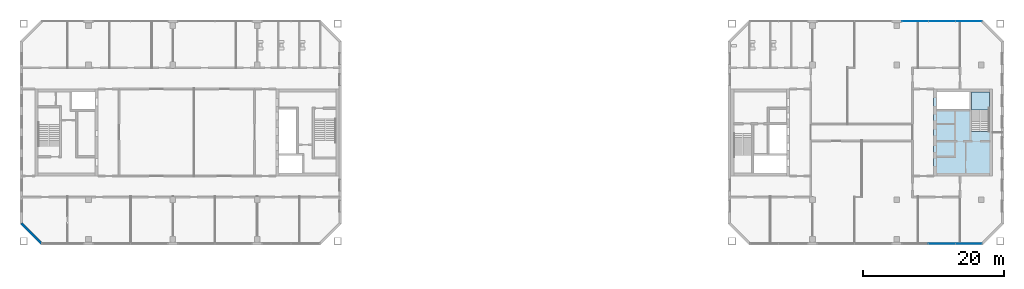
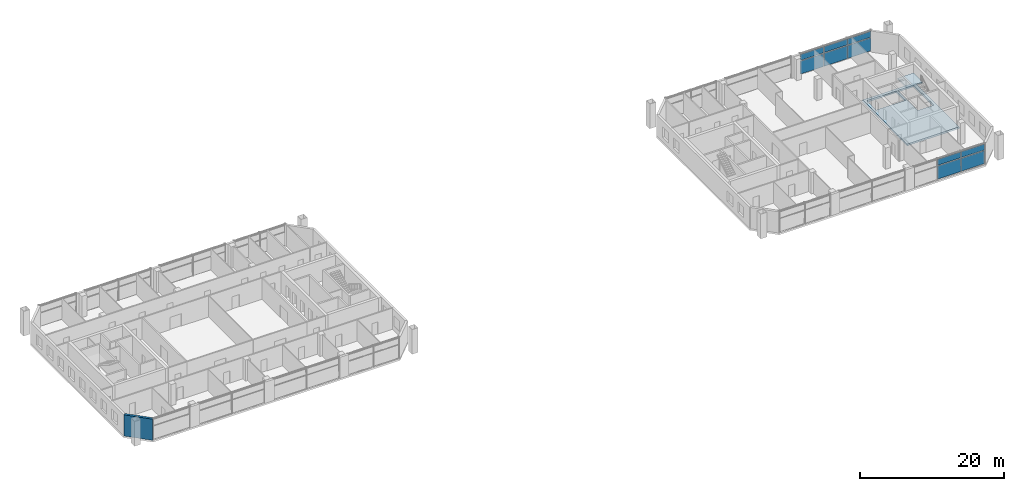
# One storey, part 9 of 19: 10 plates, 2 slabs, 1 wall, 3 elements without a shape of their own.
"""IFC4 building model written with IfcOpenShell, lengths in metres."""

from ifc_helpers import new_model, si_unit, direction, frame, frame_2d, origin, origin_2d, place, context, subcontext, project, spatial, polyline, rectangle, outline, extrude, material, layer, layer_set, type_object, element, aggregate, save


model = new_model("IFC4")

# Units and contexts
model_context = context("Model", 3, precision=1e-05, world=origin(), true_north=direction((0.0, 1.0)))
body_context = subcontext(model_context, "Body", "Model", "MODEL_VIEW")
ifc_project = project(units=[si_unit("LENGTHUNIT", "METRE"), si_unit("AREAUNIT", "SQUARE_METRE"), si_unit("VOLUMEUNIT", "CUBIC_METRE"), si_unit("PLANEANGLEUNIT", "RADIAN"), si_unit("MASSUNIT", "GRAM", prefix="KILO")], contexts=[model_context])

# Site, building, storey
site_placement = place(None, origin())
site = spatial("IfcSite", under=ifc_project, at=site_placement, CompositionType="ELEMENT")
building_placement = place(site_placement, origin())
building = spatial("IfcBuilding", under=site, at=building_placement, Name="Tuart Gate Housing", CompositionType="ELEMENT")
storey_placement = place(building_placement, frame((0.0, 0.0, 171.60009765625)))
storey = spatial("IfcBuildingStorey", under=building, at=storey_placement, Name="L48", CompositionType="ELEMENT", Elevation=171.60009765625)

# Slab
ifc_material_1 = material(Name="Concrete C40", Category="concrete")
ifc_layer_1 = layer(ifc_material_1, 0.300048828125)
ifc_layer_set_1 = layer_set([ifc_layer_1], Name="Core floor slab 300")
slab_type_1 = type_object("IfcSlabType", Name="Core floor slab 300", PredefinedType="FLOOR", material=ifc_layer_set_1)
slab_1_placement = place(storey_placement, frame((0.0, 0.0, -0.300048828125)))
element("IfcSlab", 1, at=slab_1_placement, inside=storey, type_object=slab_type_1, Name="Core floor BK", PredefinedType="FLOOR", context=body_context, shape_type="SweptSolid", body=[
    extrude(outline(polyline([(160.239990234375, 63.800048828125), (168.639892578125, 63.800048828125), (168.639892578125, 76.199951171875), (160.239990234375, 76.199951171875), (160.239990234375, 63.800048828125)]), holes=[polyline([(160.68994140625, 73.14990234375), (165.364990234375, 73.14990234375), (165.364990234375, 75.75), (160.68994140625, 75.75), (160.68994140625, 73.14990234375)]), polyline([(165.614990234375, 70.14501953125), (168.18994140625, 70.14501953125), (168.18994140625, 75.75), (165.614990234375, 75.75), (165.614990234375, 70.14501953125)])]), origin(), (0.0, 0.0, 1.0), 0.300048828125),
])

# Curtain wall, plates
ifc_material_2 = material(Name="Aluminium and clear glass", Category="aluminium")
curtain_wall_type = type_object("IfcCurtainWallType", Name="Community floor glazing", PredefinedType="USERDEFINED", material=ifc_material_2)
curtain_wall_1_placement = place(storey_placement, origin())
curtain_wall_1 = element("IfcCurtainWall", 2, at=curtain_wall_1_placement, inside=storey, type_object=curtain_wall_type, Name="Community floor glazing B-S L48", ObjectType="COMMUNITY FLOOR GLAZING", PredefinedType="USERDEFINED")
ifc_material_3 = material(Name="Clear glass", Category="glass")
ifc_layer_2 = layer(ifc_material_3, 0.028076171875)
ifc_layer_set_2 = layer_set([ifc_layer_2], Name="Glazed panel 28")
plate_type_1 = type_object("IfcPlateType", Name="Glazed panel 28", PredefinedType="CURTAIN_PANEL", material=ifc_layer_set_2)
plate_1_placement = place(storey_placement, frame((161.437744140625, 54.179931640625, 0.1201171875), z_axis=(0.0, 0.0, 1.0), x_axis=(1.0, 0.0, 0.0)))
plate_1 = element("IfcPlate", 3, at=plate_1_placement, type_object=plate_type_1, Name="CW3 panel 2.1", PredefinedType="CURTAIN_PANEL", context=body_context, shape_type="SweptSolid", body=[
    extrude(rectangle(XDim=3.76513671875, YDim=0.028076171875, at=origin_2d()), origin(), (0.0, 0.0, 1.0), 2.219970703125),
])
plate_2_placement = place(storey_placement, frame((161.437744140625, 54.179931640625, 2.4599609375), z_axis=(0.0, 0.0, 1.0), x_axis=(1.0, 0.0, 0.0)))
plate_2 = element("IfcPlate", 4, at=plate_2_placement, type_object=plate_type_1, Name="CW3 panel 2.2", PredefinedType="CURTAIN_PANEL", context=body_context, shape_type="SweptSolid", body=[
    extrude(rectangle(XDim=3.76513671875, YDim=0.028076171875, at=origin_2d()), origin(), (0.0, 0.0, 1.0), 1.02001953125),
])
plate_3_placement = place(storey_placement, frame((165.247802734375, 54.179931640625, 0.1201171875), z_axis=(0.0, 0.0, 1.0), x_axis=(1.0, 0.0, 0.0)))
plate_3 = element("IfcPlate", 5, at=plate_3_placement, type_object=plate_type_1, Name="CW3 panel 3.1", PredefinedType="CURTAIN_PANEL", context=body_context, shape_type="SweptSolid", body=[
    extrude(rectangle(XDim=3.735107421875, YDim=0.028076171875, at=origin_2d()), origin(), (0.0, 0.0, 1.0), 2.219970703125),
])

curtain_wall_2_placement = place(storey_placement, origin())
curtain_wall_2 = element("IfcCurtainWall", 6, at=curtain_wall_2_placement, inside=storey, type_object=curtain_wall_type, Name="Community floor glazing B-N L48", ObjectType="COMMUNITY FLOOR GLAZING", PredefinedType="USERDEFINED")
plate_4_placement = place(storey_placement, frame((165.247802734375, 85.820068359375, 0.1201171875), z_axis=(0.0, 0.0, 1.0), x_axis=(-1.0, 0.0, 0.0)))
plate_4 = element("IfcPlate", 7, at=plate_4_placement, type_object=plate_type_1, Name="CW3 panel 1.1", PredefinedType="CURTAIN_PANEL", context=body_context, shape_type="SweptSolid", body=[
    extrude(rectangle(XDim=3.735107421875, YDim=0.028076171875, at=origin_2d()), origin(), (0.0, 0.0, 1.0), 2.219970703125),
])
plate_5_placement = place(storey_placement, frame((161.437744140625, 85.820068359375, 0.1201171875), z_axis=(0.0, 0.0, 1.0), x_axis=(-1.0, 0.0, 0.0)))
plate_5 = element("IfcPlate", 8, at=plate_5_placement, type_object=plate_type_1, Name="CW3 panel 2.1", PredefinedType="CURTAIN_PANEL", context=body_context, shape_type="SweptSolid", body=[
    extrude(rectangle(XDim=3.76513671875, YDim=0.028076171875, at=origin_2d()), origin(), (0.0, 0.0, 1.0), 2.219970703125),
])
plate_6_placement = place(storey_placement, frame((161.437744140625, 85.820068359375, 2.4599609375), z_axis=(0.0, 0.0, 1.0), x_axis=(-1.0, 0.0, 0.0)))
plate_6 = element("IfcPlate", 9, at=plate_6_placement, type_object=plate_type_1, Name="CW3 panel 2.2", PredefinedType="CURTAIN_PANEL", context=body_context, shape_type="SweptSolid", body=[
    extrude(rectangle(XDim=3.76513671875, YDim=0.028076171875, at=origin_2d()), origin(), (0.0, 0.0, 1.0), 1.02001953125),
])
plate_7_placement = place(storey_placement, frame((157.627685546875, 85.820068359375, 0.1201171875), z_axis=(0.0, 0.0, 1.0), x_axis=(-1.0, 0.0, 0.0)))
plate_7 = element("IfcPlate", 10, at=plate_7_placement, type_object=plate_type_1, Name="CW3 panel 3.1", PredefinedType="CURTAIN_PANEL", context=body_context, shape_type="SweptSolid", body=[
    extrude(rectangle(XDim=3.735107421875, YDim=0.028076171875, at=origin_2d()), origin(), (0.0, 0.0, 1.0), 2.219970703125),
])
plate_8_placement = place(storey_placement, frame((157.627685546875, 85.820068359375, 2.4599609375), z_axis=(0.0, 0.0, 1.0), x_axis=(-1.0, 0.0, 0.0)))
plate_8 = element("IfcPlate", 11, at=plate_8_placement, type_object=plate_type_1, Name="CW3 panel 3.2", PredefinedType="CURTAIN_PANEL", context=body_context, shape_type="SweptSolid", body=[
    extrude(rectangle(XDim=3.735107421875, YDim=0.028076171875, at=origin_2d()), origin(), (0.0, 0.0, 1.0), 1.02001953125),
])

# Plate
ifc_material_4 = material(Name="Insulated aluminium panel", Category="aluminium")
ifc_layer_3 = layer(ifc_material_4, 0.028076171875)
ifc_layer_set_3 = layer_set([ifc_layer_3], Name="Insulated opaque panel 28")
plate_type_2 = type_object("IfcPlateType", Name="Insulated opaque panel 28", PredefinedType="CURTAIN_PANEL", material=ifc_layer_set_3)
plate_9_placement = place(storey_placement, frame((165.247802734375, 54.179931640625, 2.4599609375), z_axis=(0.0, 0.0, 1.0), x_axis=(1.0, 0.0, 0.0)))
plate_9 = element("IfcPlate", 12, at=plate_9_placement, type_object=plate_type_2, Name="CW3 opaque panel 3.2", PredefinedType="CURTAIN_PANEL", context=body_context, shape_type="SweptSolid", body=[
    extrude(rectangle(XDim=3.735107421875, YDim=0.028076171875, at=origin_2d()), origin(), (0.0, 0.0, 1.0), 1.02001953125),
])

aggregate(curtain_wall_1, [plate_1, plate_2, plate_3, plate_9])

plate_10_placement = place(storey_placement, frame((165.247802734375, 85.820068359375, 2.4599609375), z_axis=(0.0, 0.0, 1.0), x_axis=(-1.0, 0.0, 0.0)))
plate_10 = element("IfcPlate", 13, at=plate_10_placement, type_object=plate_type_2, Name="CW3 opaque panel 1.2", PredefinedType="CURTAIN_PANEL", context=body_context, shape_type="SweptSolid", body=[
    extrude(rectangle(XDim=3.735107421875, YDim=0.028076171875, at=origin_2d()), origin(), (0.0, 0.0, 1.0), 1.02001953125),
])

aggregate(curtain_wall_2, [plate_4, plate_10, plate_5, plate_6, plate_7, plate_8])

# Stair, slab
ifc_material_5 = material(Name="Concrete C40", Category="concrete")
stair_type = type_object("IfcStairType", Name="Core stair 1250", PredefinedType="HALF_TURN_STAIR", material=ifc_material_5)
stair_placement = place(storey_placement, origin())
stair = element("IfcStair", 14, at=stair_placement, inside=storey, type_object=stair_type, Name="Stair SB2", PredefinedType="HALF_TURN_STAIR")
ifc_material_6 = material(Name="Concrete C40", Category="concrete")
ifc_layer_4 = layer(ifc_material_6, 0.199951171875)
ifc_layer_set_4 = layer_set([ifc_layer_4], Name="Stair landing 200")
slab_type_2 = type_object("IfcSlabType", Name="Stair landing 200", PredefinedType="LANDING", material=ifc_layer_set_4)
slab_2_placement = place(storey_placement, frame((0.0, 0.0, 1.89990234375)))
slab_2 = element("IfcSlab", 15, at=slab_2_placement, type_object=slab_type_2, Name="SB2 landing 1", PredefinedType="LANDING", context=body_context, shape_type="SweptSolid", body=[
    extrude(outline(polyline([(165.614990234375, 73.205078125), (168.18994140625, 73.205078125), (168.18994140625, 75.75), (165.614990234375, 75.75), (165.614990234375, 73.205078125)])), origin(), (0.0, 0.0, 1.0), 0.199951171875),
])
aggregate(stair, [slab_2])

# Wall
ifc_material_7 = material(Name="Brick", Category="masonry")
ifc_layer_5 = layer(ifc_material_7, 0.360107421875)
ifc_layer_set_5 = layer_set([ifc_layer_5], Name="Brick pier and spandrel wall 360")
wall_type = type_object("IfcWallType", Name="Brick pier and spandrel wall 360", PredefinedType="STANDARD", material=ifc_layer_set_5)
wall_placement = place(storey_placement, frame((30.429931640625, 57.07470703125, 0.0), z_axis=(0.0, 0.0, 1.0), x_axis=(0.707106781187, -0.707106781187, 0.0)))
element("IfcWall", 16, at=wall_placement, inside=storey, type_object=wall_type, Name="External wall A-SW L48", PredefinedType="STANDARD", context=body_context, shape_type="SweptSolid", body=[
    extrude(rectangle(XDim=4.09375, YDim=0.360107421875, at=frame_2d((2.046875, 0.0))), origin(), (0.0, 0.0, 1.0), 3.599853515625),
])

save(model, "model.ifc")
